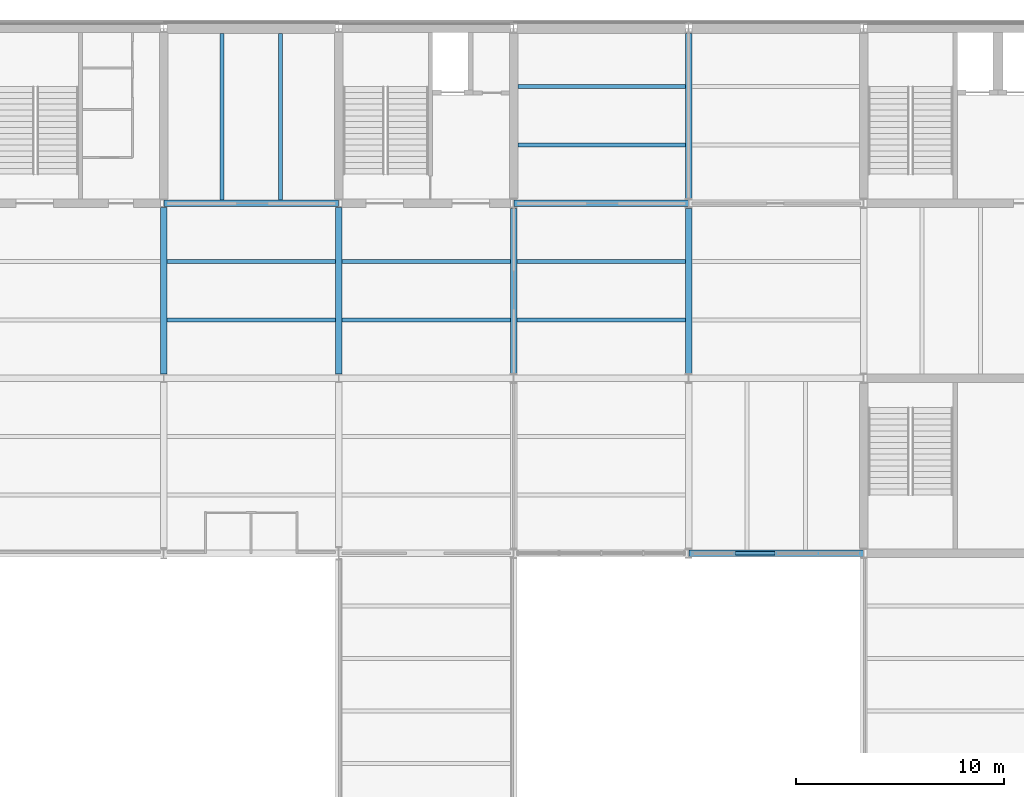
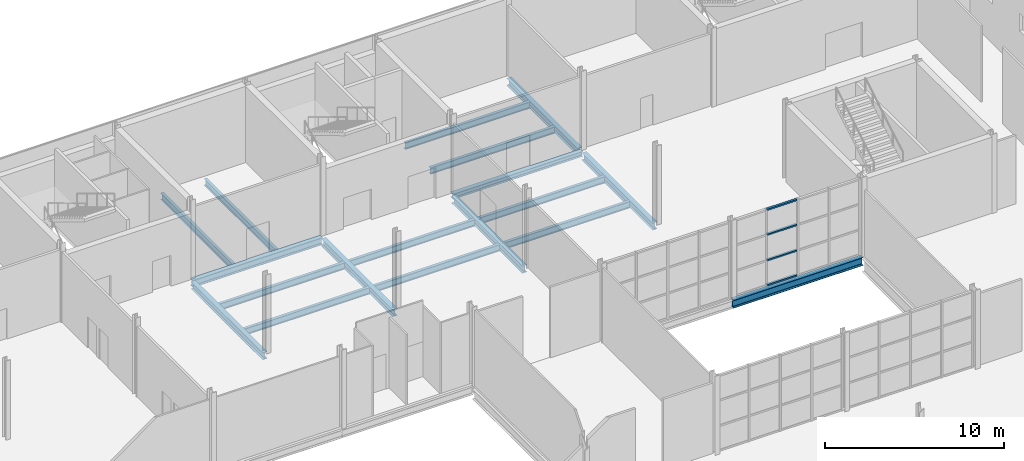
# One storey, part 23 of 57: 18 beams, 4 members, 1 element without a shape of its own.
"""IFC4 building model written with IfcOpenShell, lengths in metres."""

from ifc_helpers import new_model, si_unit, direction, frame, origin, origin_2d, place, context, subcontext, project, spatial, hollow_rectangle, i_section, extrude, material, layer, layer_set, material_profile, profile_set, type_object, element, aggregate, save


model = new_model("IFC4")

# Units and contexts
model_context = context("Model", 3, precision=1e-05, world=origin(), true_north=direction((0.0, 1.0)))
body_context = subcontext(model_context, "Body", "Model", "MODEL_VIEW")
ifc_project = project(units=[si_unit("LENGTHUNIT", "METRE"), si_unit("AREAUNIT", "SQUARE_METRE"), si_unit("VOLUMEUNIT", "CUBIC_METRE"), si_unit("PLANEANGLEUNIT", "RADIAN"), si_unit("MASSUNIT", "GRAM", prefix="KILO")], contexts=[model_context])

# Site, building, storey
site_placement = place(None, origin())
site = spatial("IfcSite", under=ifc_project, at=site_placement, CompositionType="ELEMENT")
building_placement = place(site_placement, origin())
building = spatial("IfcBuilding", under=site, at=building_placement, Name="Galleria Vessillo Department Store", CompositionType="ELEMENT")
storey_placement = place(building_placement, frame((0.0, 0.0, 25.800048828125)))
storey = spatial("IfcBuildingStorey", under=building, at=storey_placement, Name="L05", CompositionType="ELEMENT", Elevation=25.800048828125)

# Beams
ifc_material_1 = material(Name="Steel S355 J2", Category="steel")
ifc_material_profile_1 = material_profile(ifc_material_1, i_section(OverallWidth=0.300048828125, OverallDepth=0.489990234375, WebThickness=0.011962890625, FlangeThickness=0.02294921875, FilletRadius=0.027099609375, at=origin_2d()), Name="HEA 500")
ifc_profile_set_1 = profile_set([ifc_material_profile_1], Name="Steel S355 J2")
beam_type_1 = type_object("IfcBeamType", Name="Floor girder HEA 500", PredefinedType="BEAM", material=ifc_profile_set_1)
beam_1_placement = place(storey_placement, frame((67.206787109375, 54.60009765625, -0.39501953125), z_axis=(1.0, 0.0, 0.0), x_axis=(0.0, 1.0, 0.0)))
element("IfcBeam", 1, at=beam_1_placement, inside=storey, type_object=beam_type_1, Name="S-BM-L05-GI-x54600-67207", PredefinedType="BEAM", context=body_context, shape_type="SweptSolid", body=[
    extrude(i_section(OverallWidth=0.300048828125, OverallDepth=0.489990234375, WebThickness=0.011962890625, FlangeThickness=0.02294921875, FilletRadius=0.027099609375, at=origin_2d()), origin(), (0.0, 0.0, 1.0), 8.38623046875),
])
for number, where, z_axis, x_axis, name in (
    (2, (67.199951171875, 46.400146484375, -0.39501953125), (0.0, 1.0, 0.0), (-1.0, 0.0, 0.0), "S-BM-L05-GI-y67200-46400"),
    (3, (75.60009765625, 46.400146484375, -0.39501953125), (0.0, 1.0, 0.0), (-1.0, 0.0, 0.0), "S-BM-L05-GI-y75600-46400"),
):
    element("IfcBeam", number, at=place(storey_placement, frame(where, z_axis=z_axis, x_axis=x_axis)), inside=storey, type_object=beam_type_1, Name=name, PredefinedType="BEAM", context=body_context, shape_type="SweptSolid", body=[
        extrude(i_section(OverallWidth=0.300048828125, OverallDepth=0.489990234375, WebThickness=0.011962890625, FlangeThickness=0.02294921875, FilletRadius=0.027099609375, at=origin_2d()), origin(), (0.0, 0.0, 1.0), 7.999755859375),
    ])
for number, where, z_axis, x_axis, name in (
    (4, (84.0, 46.439208984375, -0.39501953125), (0.0, 1.0, 0.0), (-1.0, 0.0, 0.0), "S-BM-L05-GI-y84000-46439"),
    (5, (92.39990234375, 46.439208984375, -0.39501953125), (0.0, 1.0, 0.0), (-1.0, 0.0, 0.0), "S-BM-L05-GI-y92400-46439"),
):
    element("IfcBeam", number, at=place(storey_placement, frame(where, z_axis=z_axis, x_axis=x_axis)), inside=storey, type_object=beam_type_1, Name=name, PredefinedType="BEAM", context=body_context, shape_type="SweptSolid", body=[
        extrude(i_section(OverallWidth=0.300048828125, OverallDepth=0.489990234375, WebThickness=0.011962890625, FlangeThickness=0.02294921875, FilletRadius=0.027099609375, at=origin_2d()), origin(), (0.0, 0.0, 1.0), 7.921630859375),
    ])
beam_2_placement = place(storey_placement, frame((92.39990234375, 54.839111328125, -0.39501953125), z_axis=(0.0, 1.0, 0.0), x_axis=(-1.0, 0.0, 0.0)))
element("IfcBeam", 6, at=beam_2_placement, inside=storey, type_object=beam_type_1, Name="S-BM-L05-GI-y92400-54839", PredefinedType="BEAM", context=body_context, shape_type="SweptSolid", body=[
    extrude(i_section(OverallWidth=0.300048828125, OverallDepth=0.489990234375, WebThickness=0.011962890625, FlangeThickness=0.02294921875, FilletRadius=0.027099609375, at=origin_2d()), origin(), (0.0, 0.0, 1.0), 7.921875),
])
ifc_material_2 = material(Name="Steel S355 J2", Category="steel")
ifc_material_profile_2 = material_profile(ifc_material_2, i_section(OverallWidth=0.18994140625, OverallDepth=0.449951171875, WebThickness=0.009521484375, FlangeThickness=0.0146484375, FilletRadius=0.02099609375, at=origin_2d()), Name="IPE 450")
ifc_profile_set_2 = profile_set([ifc_material_profile_2], Name="Steel S355 J2")
beam_type_2 = type_object("IfcBeamType", Name="Floor joist IPE 450", PredefinedType="JOIST", material=ifc_profile_set_2)
for number, where, z_axis, x_axis, name in (
    (7, (67.35009765625, 49.0, -0.375), (1.0, 0.0, 0.0), (0.0, 1.0, 0.0), "S-BM-L05-JO-x49000-67350"),
    (8, (67.35009765625, 51.800048828125, -0.375), (1.0, 0.0, 0.0), (0.0, 1.0, 0.0), "S-BM-L05-JO-x51800-67350"),
):
    element("IfcBeam", number, at=place(storey_placement, frame(where, z_axis=z_axis, x_axis=x_axis)), inside=storey, type_object=beam_type_2, Name=name, PredefinedType="JOIST", context=body_context, shape_type="SweptSolid", body=[
        extrude(i_section(OverallWidth=0.18994140625, OverallDepth=0.449951171875, WebThickness=0.009521484375, FlangeThickness=0.0146484375, FilletRadius=0.02099609375, at=origin_2d()), origin(), (0.0, 0.0, 1.0), 8.099853515625),
    ])
for number, where, z_axis, x_axis, name in (
    (9, (70.0, 54.750244140625, -0.375), (0.0, 1.0, 0.0), (-1.0, 0.0, 0.0), "S-BM-L05-JO-y70000-54750"),
    (10, (72.800048828125, 54.750244140625, -0.375), (0.0, 1.0, 0.0), (-1.0, 0.0, 0.0), "S-BM-L05-JO-y72800-54750"),
):
    element("IfcBeam", number, at=place(storey_placement, frame(where, z_axis=z_axis, x_axis=x_axis)), inside=storey, type_object=beam_type_2, Name=name, PredefinedType="JOIST", context=body_context, shape_type="SweptSolid", body=[
        extrude(i_section(OverallWidth=0.18994140625, OverallDepth=0.449951171875, WebThickness=0.009521484375, FlangeThickness=0.0146484375, FilletRadius=0.02099609375, at=origin_2d()), origin(), (0.0, 0.0, 1.0), 7.99951171875),
    ])
for number, where, z_axis, x_axis, name in (
    (11, (75.750244140625, 49.0, -0.375), (1.0, 0.0, 0.0), (0.0, 1.0, 0.0), "S-BM-L05-JO-x49000-75750"),
    (12, (75.750244140625, 51.800048828125, -0.375), (1.0, 0.0, 0.0), (0.0, 1.0, 0.0), "S-BM-L05-JO-x51800-75750"),
    (13, (84.150146484375, 49.0, -0.375), (1.0, 0.0, 0.0), (0.0, 1.0, 0.0), "S-BM-L05-JO-x49000-84150"),
    (14, (84.150146484375, 51.800048828125, -0.375), (1.0, 0.0, 0.0), (0.0, 1.0, 0.0), "S-BM-L05-JO-x51800-84150"),
):
    element("IfcBeam", number, at=place(storey_placement, frame(where, z_axis=z_axis, x_axis=x_axis)), inside=storey, type_object=beam_type_2, Name=name, PredefinedType="JOIST", context=body_context, shape_type="SweptSolid", body=[
        extrude(i_section(OverallWidth=0.18994140625, OverallDepth=0.449951171875, WebThickness=0.009521484375, FlangeThickness=0.0146484375, FilletRadius=0.02099609375, at=origin_2d()), origin(), (0.0, 0.0, 1.0), 8.099609375),
    ])
for number, where, z_axis, x_axis, name in (
    (15, (84.2001953125, 57.39990234375, -0.375), (1.0, 0.0, 0.0), (0.0, 1.0, 0.0), "S-BM-L05-JO-x57400-84200"),
    (16, (84.2001953125, 60.199951171875, -0.375), (1.0, 0.0, 0.0), (0.0, 1.0, 0.0), "S-BM-L05-JO-x60200-84200"),
):
    element("IfcBeam", number, at=place(storey_placement, frame(where, z_axis=z_axis, x_axis=x_axis)), inside=storey, type_object=beam_type_2, Name=name, PredefinedType="JOIST", context=body_context, shape_type="SweptSolid", body=[
        extrude(i_section(OverallWidth=0.18994140625, OverallDepth=0.449951171875, WebThickness=0.009521484375, FlangeThickness=0.0146484375, FilletRadius=0.02099609375, at=origin_2d()), origin(), (0.0, 0.0, 1.0), 8.049560546875),
    ])
ifc_material_3 = material(Name="Steel S355 J2", Category="steel")
ifc_material_profile_3 = material_profile(ifc_material_3, i_section(OverallWidth=0.300048828125, OverallDepth=0.35009765625, WebThickness=0.010009765625, FlangeThickness=0.017578125, FilletRadius=0.027099609375, at=origin_2d()), Name="HEA 360")
ifc_profile_set_3 = profile_set([ifc_material_profile_3], Name="Steel S355 J2")
beam_type_3 = type_object("IfcBeamType", Name="Floor tie girder HEA 360", PredefinedType="BEAM", material=ifc_profile_set_3)
beam_3_placement = place(storey_placement, frame((84.0107421875, 54.60009765625, -0.324951171875), z_axis=(1.0, 0.0, 0.0), x_axis=(0.0, 1.0, 0.0)))
element("IfcBeam", 17, at=beam_3_placement, inside=storey, type_object=beam_type_3, Name="S-BM-L05-TI-x54600-84011", PredefinedType="BEAM", context=body_context, shape_type="SweptSolid", body=[
    extrude(i_section(OverallWidth=0.300048828125, OverallDepth=0.35009765625, WebThickness=0.010009765625, FlangeThickness=0.017578125, FilletRadius=0.027099609375, at=origin_2d()), origin(), (0.0, 0.0, 1.0), 8.378662109375),
])

# Curtain wall, members
ifc_material_4 = material(Name="Steel and fire-resisting glass curtain wall", Category="steel")
ifc_layer = layer(ifc_material_4, 0.199951171875)
ifc_layer_set = layer_set([ifc_layer], Name="Steel and fire-resisting glass curtain wall")
curtain_wall_type = type_object("IfcCurtainWallType", Name="Arcade fire-resisting glazed shopfront EI 120-Sa", PredefinedType="NOTDEFINED", material=ifc_layer_set)
curtain_wall_placement = place(storey_placement, origin())
curtain_wall = element("IfcCurtainWall", 18, at=curtain_wall_placement, inside=storey, type_object=curtain_wall_type, Name="Arcade fire-resisting glazed shopfront EI 120-Sa AI-AE-N-L05-02", PredefinedType="NOTDEFINED")
ifc_material_5 = material(Name="Steel S355 J2", Category="steel")
ifc_material_profile_4 = material_profile(ifc_material_5, hollow_rectangle(XDim=0.14990234375, YDim=0.10009765625, WallThickness=0.008056640625, at=origin_2d()), Name="RHS 150x100x8")
ifc_profile_set_4 = profile_set([ifc_material_profile_4], Name="Steel S355 J2")
member_type = type_object("IfcMemberType", Name="Steel transom RHS 150x100x8", PredefinedType="USERDEFINED", material=ifc_profile_set_4)
member_1_placement = place(storey_placement, frame((94.626708984375, 37.800048828125, 0.050048828125), z_axis=(1.0, 0.0, 0.0), x_axis=(0.0, 1.0, 0.0)))
member_1 = element("IfcMember", 19, at=member_1_placement, type_object=member_type, Name="CW7 transom 2.1", ObjectType="TRANSOM", PredefinedType="USERDEFINED", context=body_context, shape_type="SweptSolid", body=[
    extrude(hollow_rectangle(XDim=0.14990234375, YDim=0.10009765625, WallThickness=0.008056640625, at=origin_2d()), origin(), (0.0, 0.0, 1.0), 1.92333984375),
])
member_2_placement = place(storey_placement, frame((94.626708984375, 37.800048828125, 1.75), z_axis=(1.0, 0.0, 0.0), x_axis=(0.0, 1.0, 0.0)))
member_2 = element("IfcMember", 20, at=member_2_placement, type_object=member_type, Name="CW7 transom 2.2", ObjectType="TRANSOM", PredefinedType="USERDEFINED", context=body_context, shape_type="SweptSolid", body=[
    extrude(hollow_rectangle(XDim=0.14990234375, YDim=0.10009765625, WallThickness=0.008056640625, at=origin_2d()), origin(), (0.0, 0.0, 1.0), 1.92333984375),
])
member_3_placement = place(storey_placement, frame((94.626708984375, 37.800048828125, 3.5), z_axis=(1.0, 0.0, 0.0), x_axis=(0.0, 1.0, 0.0)))
member_3 = element("IfcMember", 21, at=member_3_placement, type_object=member_type, Name="CW7 transom 2.3", ObjectType="TRANSOM", PredefinedType="USERDEFINED", context=body_context, shape_type="SweptSolid", body=[
    extrude(hollow_rectangle(XDim=0.14990234375, YDim=0.10009765625, WallThickness=0.008056640625, at=origin_2d()), origin(), (0.0, 0.0, 1.0), 1.92333984375),
])
member_4_placement = place(storey_placement, frame((94.626708984375, 37.800048828125, 5.199951171875), z_axis=(1.0, 0.0, 0.0), x_axis=(0.0, 1.0, 0.0)))
member_4 = element("IfcMember", 22, at=member_4_placement, type_object=member_type, Name="CW7 transom 2.4", ObjectType="TRANSOM", PredefinedType="USERDEFINED", context=body_context, shape_type="SweptSolid", body=[
    extrude(hollow_rectangle(XDim=0.14990234375, YDim=0.10009765625, WallThickness=0.008056640625, at=origin_2d()), origin(), (0.0, 0.0, 1.0), 1.92333984375),
])
aggregate(curtain_wall, [member_1, member_2, member_3, member_4])

# Beam
ifc_material_6 = material(Name="Steel S355 J2", Category="steel")
ifc_material_profile_5 = material_profile(ifc_material_6, i_section(OverallWidth=0.300048828125, OverallDepth=0.5400390625, WebThickness=0.012451171875, FlangeThickness=0.02392578125, FilletRadius=0.027099609375, at=origin_2d()), Name="HEA 550")
ifc_profile_set_5 = profile_set([ifc_material_profile_5], Name="Steel S355 J2")
beam_type_4 = type_object("IfcBeamType", Name="Trimmer beam HEA 550", PredefinedType="BEAM", material=ifc_profile_set_5)
beam_4_placement = place(storey_placement, frame((92.41064453125, 37.800048828125, -0.419921875), z_axis=(1.0, 0.0, 0.0), x_axis=(0.0, 1.0, 0.0)))
element("IfcBeam", 23, at=beam_4_placement, inside=storey, type_object=beam_type_4, Name="S-BM-L05-TR-x37800-92411", PredefinedType="BEAM", context=body_context, shape_type="SweptSolid", body=[
    extrude(i_section(OverallWidth=0.300048828125, OverallDepth=0.5400390625, WebThickness=0.012451171875, FlangeThickness=0.02392578125, FilletRadius=0.027099609375, at=origin_2d()), origin(), (0.0, 0.0, 1.0), 8.378662109375),
])

save(model, "model.ifc")
